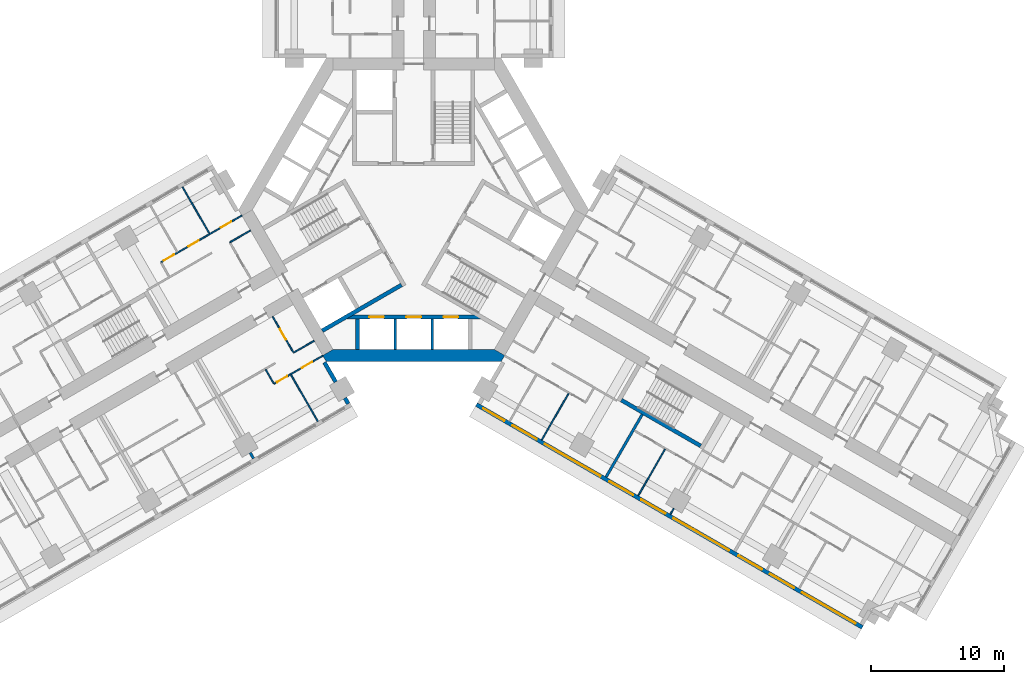
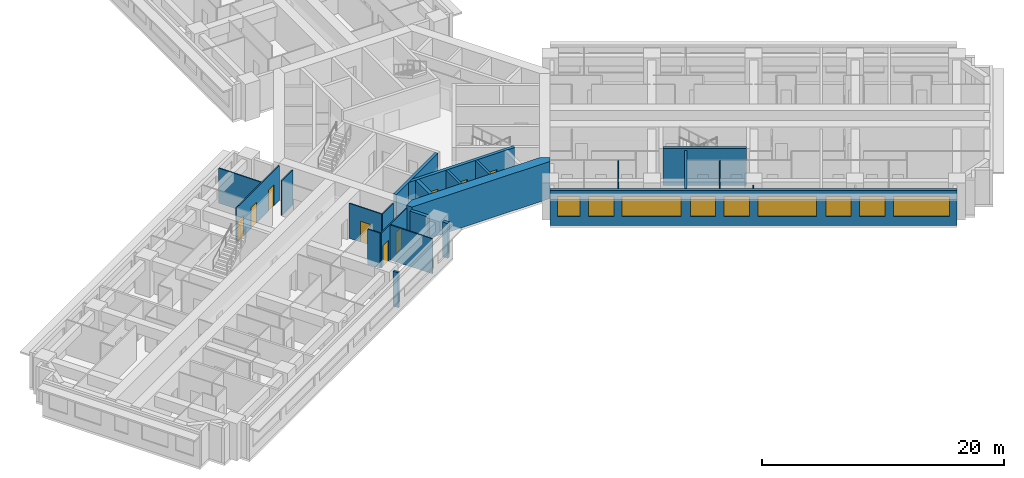
# One storey, part 6 of 16: 23 walls, 9 doors, 9 windows, 18 openings.
"""IFC4 building model written with IfcOpenShell, lengths in metres."""

from ifc_helpers import new_model, si_unit, direction, frame, frame_2d, origin, place, context, subcontext, project, spatial, polyline, rectangle, outline, extrude, material, layer, layer_set, type_object, element, fill, save


model = new_model("IFC4")

# Units and contexts
model_context = context("Model", 3, precision=1e-05, world=origin(), true_north=direction((0.0, 1.0)))
body_context = subcontext(model_context, "Body", "Model", "MODEL_VIEW")
ifc_project = project(units=[si_unit("LENGTHUNIT", "METRE"), si_unit("AREAUNIT", "SQUARE_METRE"), si_unit("VOLUMEUNIT", "CUBIC_METRE"), si_unit("PLANEANGLEUNIT", "RADIAN"), si_unit("MASSUNIT", "GRAM", prefix="KILO")], contexts=[model_context])

# Site, building, storey
site_placement = place(None, origin())
site = spatial("IfcSite", under=ifc_project, at=site_placement, CompositionType="ELEMENT")
building_placement = place(site_placement, origin())
building = spatial("IfcBuilding", under=site, at=building_placement, Name="Impinga Residences", CompositionType="ELEMENT")
storey_placement = place(building_placement, frame((0.0, 0.0, 74.75)))
storey = spatial("IfcBuildingStorey", under=building, at=storey_placement, Name="L18", CompositionType="ELEMENT", Elevation=74.75)

# Wall, openings, windows
ifc_material_1 = material(Name="Terracotta rainscreen on blockwork", Category="masonry")
ifc_layer_1 = layer(ifc_material_1, 0.300048828125)
ifc_layer_set_1 = layer_set([ifc_layer_1], Name="EW1 external wall, terracotta rainscreen on blockwork 300")
wall_type_1 = type_object("IfcWallType", Name="EW1 external wall, terracotta rainscreen on blockwork 300", PredefinedType="SOLIDWALL", material=ifc_layer_set_1)
wall_1_placement = place(storey_placement, frame((33.823486328125, -31.479248046875, 0.0), z_axis=(0.0, 0.0, 1.0), x_axis=(-0.866024291668, 0.500001926238, 0.0)))
wall_1 = element("IfcWall", 1, at=wall_1_placement, inside=storey, type_object=wall_type_1, Name="External wall EW1 L18", PredefinedType="SOLIDWALL", context=body_context, shape_type="SweptSolid", body=[
    extrude(rectangle(XDim=33.599853515625, YDim=0.300048828125, at=frame_2d((16.7998046875, 0.0))), origin(), (0.0, 0.0, 1.0), 3.530029296875),
])
opening_1_placement = place(wall_1_placement, frame((0.60009765625, 0.0, 0.89990234375)))
opening_1 = element("IfcOpeningElement", 2, at=opening_1_placement, cuts=wall_1, Name="Opening W10", PredefinedType="OPENING", context=body_context, shape_type="SweptSolid", body=[
    extrude(rectangle(XDim=4.64990234375, YDim=2.050048828125, at=frame_2d((2.324951171875, 1.02490234375))), frame((0.0, 0.159912109375, 0.0), z_axis=(0.0, -1.0, 0.0), x_axis=(1.0, 0.0, 0.0)), (0.0, 0.0, 1.0), 0.320068359375),
])
opening_2_placement = place(wall_1_placement, frame((5.949951171875, 0.0, 0.89990234375)))
opening_2 = element("IfcOpeningElement", 3, at=opening_2_placement, cuts=wall_1, Name="Opening W9", PredefinedType="OPENING", context=body_context, shape_type="SweptSolid", body=[
    extrude(rectangle(XDim=2.10009765625, YDim=2.050048828125, at=frame_2d((1.050048828125, 1.02490234375))), frame((0.0, 0.159912109375, 0.0), z_axis=(0.0, -1.0, 0.0), x_axis=(1.0, 0.0, 0.0)), (0.0, 0.0, 1.0), 0.320068359375),
])
opening_3_placement = place(wall_1_placement, frame((8.75, 0.0, 0.89990234375)))
opening_3 = element("IfcOpeningElement", 4, at=opening_3_placement, cuts=wall_1, Name="Opening W14", PredefinedType="OPENING", context=body_context, shape_type="SweptSolid", body=[
    extrude(rectangle(XDim=2.050048828125, YDim=2.050048828125, at=frame_2d((1.02490234375, 1.02490234375))), frame((0.0, 0.159912109375, 0.0), z_axis=(0.0, -1.0, 0.0), x_axis=(1.0, 0.0, 0.0)), (0.0, 0.0, 1.0), 0.320068359375),
])
opening_4_placement = place(wall_1_placement, frame((11.60009765625, 0.0, 0.89990234375)))
opening_4 = element("IfcOpeningElement", 5, at=opening_4_placement, cuts=wall_1, Name="Opening W6", PredefinedType="OPENING", context=body_context, shape_type="SweptSolid", body=[
    extrude(rectangle(XDim=4.85009765625, YDim=2.050048828125, at=frame_2d((2.425048828125, 1.02490234375))), frame((0.0, 0.159912109375, 0.0), z_axis=(0.0, -1.0, 0.0), x_axis=(1.0, 0.0, 0.0)), (0.0, 0.0, 1.0), 0.320068359375),
])
opening_5_placement = place(wall_1_placement, frame((17.14990234375, 0.0, 0.89990234375)))
opening_5 = element("IfcOpeningElement", 6, at=opening_5_placement, cuts=wall_1, Name="Opening W9", PredefinedType="OPENING", context=body_context, shape_type="SweptSolid", body=[
    extrude(rectangle(XDim=2.10009765625, YDim=2.050048828125, at=frame_2d((1.050048828125, 1.02490234375))), frame((0.0, 0.159912109375, 0.0), z_axis=(0.0, -1.0, 0.0), x_axis=(1.0, 0.0, 0.0)), (0.0, 0.0, 1.0), 0.320068359375),
])
opening_6_placement = place(wall_1_placement, frame((19.949951171875, 0.0, 0.89990234375)))
opening_6 = element("IfcOpeningElement", 7, at=opening_6_placement, cuts=wall_1, Name="Opening W14", PredefinedType="OPENING", context=body_context, shape_type="SweptSolid", body=[
    extrude(rectangle(XDim=2.050048828125, YDim=2.050048828125, at=frame_2d((1.02490234375, 1.02490234375))), frame((0.0, 0.159912109375, 0.0), z_axis=(0.0, -1.0, 0.0), x_axis=(1.0, 0.0, 0.0)), (0.0, 0.0, 1.0), 0.320068359375),
])
opening_7_placement = place(wall_1_placement, frame((22.800048828125, 0.0, 0.89990234375)))
opening_7 = element("IfcOpeningElement", 8, at=opening_7_placement, cuts=wall_1, Name="Opening W6", PredefinedType="OPENING", context=body_context, shape_type="SweptSolid", body=[
    extrude(rectangle(XDim=4.85009765625, YDim=2.050048828125, at=frame_2d((2.425048828125, 1.02490234375))), frame((0.0, 0.159912109375, 0.0), z_axis=(0.0, -1.0, 0.0), x_axis=(1.0, 0.0, 0.0)), (0.0, 0.0, 1.0), 0.320068359375),
])
opening_8_placement = place(wall_1_placement, frame((28.35009765625, 0.0, 0.89990234375)))
opening_8 = element("IfcOpeningElement", 9, at=opening_8_placement, cuts=wall_1, Name="Opening W9", PredefinedType="OPENING", context=body_context, shape_type="SweptSolid", body=[
    extrude(rectangle(XDim=2.10009765625, YDim=2.050048828125, at=frame_2d((1.050048828125, 1.02490234375))), frame((0.0, 0.159912109375, 0.0), z_axis=(0.0, -1.0, 0.0), x_axis=(1.0, 0.0, 0.0)), (0.0, 0.0, 1.0), 0.320068359375),
])
opening_9_placement = place(wall_1_placement, frame((31.14990234375, 0.0, 0.89990234375)))
opening_9 = element("IfcOpeningElement", 10, at=opening_9_placement, cuts=wall_1, Name="Opening W15", PredefinedType="OPENING", context=body_context, shape_type="SweptSolid", body=[
    extrude(rectangle(XDim=1.85009765625, YDim=2.050048828125, at=frame_2d((0.925048828125, 1.02490234375))), frame((0.0, 0.159912109375, 0.0), z_axis=(0.0, -1.0, 0.0), x_axis=(1.0, 0.0, 0.0)), (0.0, 0.0, 1.0), 0.320068359375),
])
ifc_material_2 = material(Name="Aluminium window, clear double glazing", Category="aluminium")
window_type_1 = type_object("IfcWindowType", Name="W10 ribbon window 4650x2050", PartitioningType="SINGLE_PANEL", PredefinedType="WINDOW", material=ifc_material_2)
window_1_placement = place(opening_1_placement, origin())
window_1 = element("IfcWindow", 11, at=window_1_placement, inside=storey, type_object=window_type_1, Name="Window L18", OverallHeight=2.050048828125, OverallWidth=4.64990234375, PartitioningType="SINGLE_PANEL", PredefinedType="WINDOW", context=body_context, shape_type="SweptSolid", body=[
    extrude(rectangle(XDim=4.64990234375, YDim=2.050048828125, at=frame_2d((2.324951171875, 1.02490234375))), frame((0.0, 0.030029296875, 0.0), z_axis=(0.0, -1.0, 0.0), x_axis=(1.0, 0.0, 0.0)), (0.0, 0.0, 1.0), 0.06005859375),
])
fill(opening_1, window_1)
window_type_2 = type_object("IfcWindowType", Name="W14 ribbon window 2050x2050", PartitioningType="SINGLE_PANEL", PredefinedType="WINDOW", material=ifc_material_2)
window_2_placement = place(opening_3_placement, origin())
window_2 = element("IfcWindow", 12, at=window_2_placement, inside=storey, type_object=window_type_2, Name="Window L18", OverallHeight=2.050048828125, OverallWidth=2.050048828125, PartitioningType="SINGLE_PANEL", PredefinedType="WINDOW", context=body_context, shape_type="SweptSolid", body=[
    extrude(rectangle(XDim=2.050048828125, YDim=2.050048828125, at=frame_2d((1.02490234375, 1.02490234375))), frame((0.0, 0.030029296875, 0.0), z_axis=(0.0, -1.0, 0.0), x_axis=(1.0, 0.0, 0.0)), (0.0, 0.0, 1.0), 0.06005859375),
])
fill(opening_3, window_2)
window_3_placement = place(opening_6_placement, origin())
window_3 = element("IfcWindow", 13, at=window_3_placement, inside=storey, type_object=window_type_2, Name="Window L18", OverallHeight=2.050048828125, OverallWidth=2.050048828125, PartitioningType="SINGLE_PANEL", PredefinedType="WINDOW", context=body_context, shape_type="SweptSolid", body=[
    extrude(rectangle(XDim=2.050048828125, YDim=2.050048828125, at=frame_2d((1.02490234375, 1.02490234375))), frame((0.0, 0.030029296875, 0.0), z_axis=(0.0, -1.0, 0.0), x_axis=(1.0, 0.0, 0.0)), (0.0, 0.0, 1.0), 0.06005859375),
])
fill(opening_6, window_3)
window_type_3 = type_object("IfcWindowType", Name="W15 ribbon window 1850x2050", PartitioningType="SINGLE_PANEL", PredefinedType="WINDOW", material=ifc_material_2)
window_4_placement = place(opening_9_placement, origin())
window_4 = element("IfcWindow", 14, at=window_4_placement, inside=storey, type_object=window_type_3, Name="Window L18", OverallHeight=2.050048828125, OverallWidth=1.85009765625, PartitioningType="SINGLE_PANEL", PredefinedType="WINDOW", context=body_context, shape_type="SweptSolid", body=[
    extrude(rectangle(XDim=1.85009765625, YDim=2.050048828125, at=frame_2d((0.925048828125, 1.02490234375))), frame((0.0, 0.030029296875, 0.0), z_axis=(0.0, -1.0, 0.0), x_axis=(1.0, 0.0, 0.0)), (0.0, 0.0, 1.0), 0.06005859375),
])
fill(opening_9, window_4)
window_type_4 = type_object("IfcWindowType", Name="W6 ribbon window 4850x2050", PartitioningType="SINGLE_PANEL", PredefinedType="WINDOW", material=ifc_material_2)
window_5_placement = place(opening_4_placement, origin())
window_5 = element("IfcWindow", 15, at=window_5_placement, inside=storey, type_object=window_type_4, Name="Window L18", OverallHeight=2.050048828125, OverallWidth=4.85009765625, PartitioningType="SINGLE_PANEL", PredefinedType="WINDOW", context=body_context, shape_type="SweptSolid", body=[
    extrude(rectangle(XDim=4.85009765625, YDim=2.050048828125, at=frame_2d((2.425048828125, 1.02490234375))), frame((0.0, 0.030029296875, 0.0), z_axis=(0.0, -1.0, 0.0), x_axis=(1.0, 0.0, 0.0)), (0.0, 0.0, 1.0), 0.06005859375),
])
fill(opening_4, window_5)
window_6_placement = place(opening_7_placement, origin())
window_6 = element("IfcWindow", 16, at=window_6_placement, inside=storey, type_object=window_type_4, Name="Window L18", OverallHeight=2.050048828125, OverallWidth=4.85009765625, PartitioningType="SINGLE_PANEL", PredefinedType="WINDOW", context=body_context, shape_type="SweptSolid", body=[
    extrude(rectangle(XDim=4.85009765625, YDim=2.050048828125, at=frame_2d((2.425048828125, 1.02490234375))), frame((0.0, 0.030029296875, 0.0), z_axis=(0.0, -1.0, 0.0), x_axis=(1.0, 0.0, 0.0)), (0.0, 0.0, 1.0), 0.06005859375),
])
fill(opening_7, window_6)
window_type_5 = type_object("IfcWindowType", Name="W9 ribbon window 2100x2050", PartitioningType="SINGLE_PANEL", PredefinedType="WINDOW", material=ifc_material_2)
window_7_placement = place(opening_2_placement, origin())
window_7 = element("IfcWindow", 17, at=window_7_placement, inside=storey, type_object=window_type_5, Name="Window L18", OverallHeight=2.050048828125, OverallWidth=2.10009765625, PartitioningType="SINGLE_PANEL", PredefinedType="WINDOW", context=body_context, shape_type="SweptSolid", body=[
    extrude(rectangle(XDim=2.10009765625, YDim=2.050048828125, at=frame_2d((1.050048828125, 1.02490234375))), frame((0.0, 0.030029296875, 0.0), z_axis=(0.0, -1.0, 0.0), x_axis=(1.0, 0.0, 0.0)), (0.0, 0.0, 1.0), 0.06005859375),
])
fill(opening_2, window_7)
window_8_placement = place(opening_5_placement, origin())
window_8 = element("IfcWindow", 18, at=window_8_placement, inside=storey, type_object=window_type_5, Name="Window L18", OverallHeight=2.050048828125, OverallWidth=2.10009765625, PartitioningType="SINGLE_PANEL", PredefinedType="WINDOW", context=body_context, shape_type="SweptSolid", body=[
    extrude(rectangle(XDim=2.10009765625, YDim=2.050048828125, at=frame_2d((1.050048828125, 1.02490234375))), frame((0.0, 0.030029296875, 0.0), z_axis=(0.0, -1.0, 0.0), x_axis=(1.0, 0.0, 0.0)), (0.0, 0.0, 1.0), 0.06005859375),
])
fill(opening_5, window_8)
window_9_placement = place(opening_8_placement, origin())
window_9 = element("IfcWindow", 19, at=window_9_placement, inside=storey, type_object=window_type_5, Name="Window L18", OverallHeight=2.050048828125, OverallWidth=2.10009765625, PartitioningType="SINGLE_PANEL", PredefinedType="WINDOW", context=body_context, shape_type="SweptSolid", body=[
    extrude(rectangle(XDim=2.10009765625, YDim=2.050048828125, at=frame_2d((1.050048828125, 1.02490234375))), frame((0.0, 0.030029296875, 0.0), z_axis=(0.0, -1.0, 0.0), x_axis=(1.0, 0.0, 0.0)), (0.0, 0.0, 1.0), 0.06005859375),
])
fill(opening_8, window_9)

# Walls
wall_2_placement = place(storey_placement, frame((-6.72998046875, -11.506591796875, 0.0), z_axis=(0.0, 0.0, 1.0), x_axis=(0.500062241894, -0.865989465428, 0.0)))
element("IfcWall", 20, at=wall_2_placement, inside=storey, type_object=wall_type_1, Name="External wall EW1 L18", PredefinedType="SOLIDWALL", context=body_context, shape_type="SweptSolid", body=[
    extrude(rectangle(XDim=1.699951171875, YDim=0.300048828125, at=frame_2d((0.85009765625, 0.0))), origin(), (0.0, 0.0, 1.0), 3.530029296875),
])
wall_3_placement = place(storey_placement, frame((-5.179931640625, -14.191162109375, 0.0), z_axis=(0.0, 0.0, 1.0), x_axis=(0.499919672301, -0.866071776036, 0.0)))
element("IfcWall", 21, at=wall_3_placement, inside=storey, type_object=wall_type_1, Name="External wall EW1 L18", PredefinedType="SOLIDWALL", context=body_context, shape_type="SweptSolid", body=[
    extrude(rectangle(XDim=0.5, YDim=0.300048828125, at=frame_2d((0.25, 0.0))), origin(), (0.0, 0.0, 1.0), 3.530029296875),
])
ifc_material_3 = material(Name="Gypsum board on steel studs", Category="steel")
ifc_layer_2 = layer(ifc_material_3, 0.10009765625)
ifc_layer_set_2 = layer_set([ifc_layer_2], Name="Gypsum board on steel studs")
wall_type_2 = type_object("IfcWallType", Name="IP1 partition 100", PredefinedType="PARTITIONING", material=ifc_layer_set_2)
wall_4_placement = place(storey_placement, frame((-7.5, -9.872802734375, 0.0), z_axis=(0.0, 0.0, 1.0), x_axis=(-0.866047807691, -0.499961193289, 0.0)))
element("IfcWall", 22, at=wall_4_placement, inside=storey, type_object=wall_type_2, Name="Partition L18-WA1:DIV0", PredefinedType="PARTITIONING", context=body_context, shape_type="SweptSolid", body=[
    extrude(rectangle(XDim=1.800048828125, YDim=0.10009765625, at=frame_2d((0.89990234375, 0.0))), origin(), (0.0, 0.0, 1.0), 3.530029296875),
])

# Wall, openings, doors
wall_5_placement = place(storey_placement, frame((-6.85009765625, -10.99853515625, 0.0), z_axis=(0.0, 0.0, 1.0), x_axis=(-0.866014341725, -0.50001915956, 0.0)))
wall_5 = element("IfcWall", 23, at=wall_5_placement, inside=storey, type_object=wall_type_2, Name="Partition L18-WA1:STRIP", PredefinedType="PARTITIONING", context=body_context, shape_type="SweptSolid", body=[
    extrude(rectangle(XDim=4.249755859375, YDim=0.10009765625, at=frame_2d((2.125, 0.0))), origin(), (0.0, 0.0, 1.0), 3.530029296875),
])
opening_10_placement = place(wall_5_placement, frame((0.925048828125, 0.0, 0.0)))
opening_10 = element("IfcOpeningElement", 24, at=opening_10_placement, cuts=wall_5, Name="Opening D2", PredefinedType="OPENING", context=body_context, shape_type="SweptSolid", body=[
    extrude(rectangle(XDim=0.89990234375, YDim=2.10009765625, at=frame_2d((0.449951171875, 1.050048828125))), frame((0.0, 0.06005859375, 0.0), z_axis=(0.0, -1.0, 0.0), x_axis=(1.0, 0.0, 0.0)), (0.0, 0.0, 1.0), 0.1201171875),
])
opening_11_placement = place(wall_5_placement, frame((3.10009765625, 0.0, 0.0)))
opening_11 = element("IfcOpeningElement", 25, at=opening_11_placement, cuts=wall_5, Name="Opening D2", PredefinedType="OPENING", context=body_context, shape_type="SweptSolid", body=[
    extrude(rectangle(XDim=0.89990234375, YDim=2.10009765625, at=frame_2d((0.449951171875, 1.050048828125))), frame((0.0, 0.06005859375, 0.0), z_axis=(0.0, -1.0, 0.0), x_axis=(1.0, 0.0, 0.0)), (0.0, 0.0, 1.0), 0.1201171875),
])
ifc_material_4 = material(Name="Timber door set", Category="wood")
door_type_1 = type_object("IfcDoorType", Name="D2 internal door 900x2100", OperationType="SINGLE_SWING_LEFT", PredefinedType="DOOR", material=ifc_material_4)
door_1_placement = place(opening_10_placement, origin())
door_1 = element("IfcDoor", 26, at=door_1_placement, inside=storey, type_object=door_type_1, Name="Apartment L18-WA1 room door", OperationType="SINGLE_SWING_LEFT", OverallHeight=2.10009765625, OverallWidth=0.89990234375, PredefinedType="DOOR", context=body_context, shape_type="SweptSolid", body=[
    extrude(rectangle(XDim=0.89990234375, YDim=2.10009765625, at=frame_2d((0.449951171875, 1.050048828125))), frame((0.0, 0.02490234375, 0.0), z_axis=(0.0, -1.0, 0.0), x_axis=(1.0, 0.0, 0.0)), (0.0, 0.0, 1.0), 0.050048828125),
])
fill(opening_10, door_1)
door_2_placement = place(opening_11_placement, origin())
door_2 = element("IfcDoor", 27, at=door_2_placement, inside=storey, type_object=door_type_1, Name="Apartment L18-WA1 room door", OperationType="SINGLE_SWING_RIGHT", OverallHeight=2.10009765625, OverallWidth=0.89990234375, PredefinedType="DOOR", context=body_context, shape_type="SweptSolid", body=[
    extrude(rectangle(XDim=0.89990234375, YDim=2.10009765625, at=frame_2d((0.449951171875, 1.050048828125))), frame((0.0, 0.02490234375, 0.0), z_axis=(0.0, -1.0, 0.0), x_axis=(1.0, 0.0, 0.0)), (0.0, 0.0, 1.0), 0.050048828125),
])
fill(opening_11, door_2)

# Wall
wall_6_placement = place(storey_placement, frame((-11.155517578125, -12.041015625, 0.0), z_axis=(0.0, 0.0, 1.0), x_axis=(0.499880961361, -0.866094119867, 0.0)))
element("IfcWall", 28, at=wall_6_placement, inside=storey, type_object=wall_type_2, Name="Partition L18-WA1:SE1", PredefinedType="PARTITIONING", context=body_context, shape_type="SweptSolid", body=[
    extrude(rectangle(XDim=1.199951171875, YDim=0.10009765625, at=frame_2d((0.60009765625, 0.0))), origin(), (0.0, 0.0, 1.0), 3.530029296875),
])

# Wall, opening, door
wall_7_placement = place(storey_placement, frame((-10.6337890625, -8.044677734375, 0.0), z_axis=(0.0, 0.0, 1.0), x_axis=(0.49999285859, -0.86602952684, 0.0)))
wall_7 = element("IfcWall", 29, at=wall_7_placement, inside=storey, type_object=wall_type_2, Name="Partition L18-WA1:IB1", PredefinedType="PARTITIONING", context=body_context, shape_type="SweptSolid", body=[
    extrude(rectangle(XDim=3.10009765625, YDim=0.10009765625, at=frame_2d((1.550048828125, 0.0))), origin(), (0.0, 0.0, 1.0), 3.530029296875),
])
opening_12_placement = place(wall_7_placement, frame((1.10009765625, 0.0, 0.0)))
opening_12 = element("IfcOpeningElement", 30, at=opening_12_placement, cuts=wall_7, Name="Opening D2", PredefinedType="OPENING", context=body_context, shape_type="SweptSolid", body=[
    extrude(rectangle(XDim=0.89990234375, YDim=2.10009765625, at=frame_2d((0.449951171875, 1.050048828125))), frame((0.0, 0.06005859375, 0.0), z_axis=(0.0, -1.0, 0.0), x_axis=(1.0, 0.0, 0.0)), (0.0, 0.0, 1.0), 0.1201171875),
])
door_3_placement = place(opening_12_placement, origin())
door_3 = element("IfcDoor", 31, at=door_3_placement, inside=storey, type_object=door_type_1, Name="Apartment L18-WA1 bathroom door", OperationType="SINGLE_SWING_LEFT", OverallHeight=2.10009765625, OverallWidth=0.89990234375, PredefinedType="DOOR", context=body_context, shape_type="SweptSolid", body=[
    extrude(rectangle(XDim=0.89990234375, YDim=2.10009765625, at=frame_2d((0.449951171875, 1.050048828125))), frame((0.0, 0.02490234375, 0.0), z_axis=(0.0, -1.0, 0.0), x_axis=(1.0, 0.0, 0.0)), (0.0, 0.0, 1.0), 0.050048828125),
])
fill(opening_12, door_3)

# Walls
wall_8_placement = place(storey_placement, frame((-9.249755859375, -12.44189453125, 0.0), z_axis=(0.0, 0.0, 1.0), x_axis=(0.499990325971, -0.866030989016, 0.0)))
element("IfcWall", 32, at=wall_8_placement, inside=storey, type_object=wall_type_2, Name="Partition L18-WA1:OB1", PredefinedType="PARTITIONING", context=body_context, shape_type="SweptSolid", body=[
    extrude(rectangle(XDim=4.0498046875, YDim=0.10009765625, at=frame_2d((2.02490234375, 0.0))), origin(), (0.0, 0.0, 1.0), 3.530029296875),
])
wall_9_placement = place(storey_placement, frame((-12.300048828125, -1.558837890625, 0.0), z_axis=(0.0, 0.0, 1.0), x_axis=(-0.866047807691, -0.499961193289, 0.0)))
element("IfcWall", 33, at=wall_9_placement, inside=storey, type_object=wall_type_2, Name="Partition L18-WF1:DIV0", PredefinedType="PARTITIONING", context=body_context, shape_type="SweptSolid", body=[
    extrude(rectangle(XDim=1.800048828125, YDim=0.10009765625, at=frame_2d((0.89990234375, 0.0))), origin(), (0.0, 0.0, 1.0), 3.530029296875),
])

# Wall, openings, doors
wall_10_placement = place(storey_placement, frame((-12.949951171875, -0.43310546875, 0.0), z_axis=(0.0, 0.0, 1.0), x_axis=(-0.866031034943, -0.499990246421, 0.0)))
wall_10 = element("IfcWall", 34, at=wall_10_placement, inside=storey, type_object=wall_type_2, Name="Partition L18-WF1:STRIP", PredefinedType="PARTITIONING", context=body_context, shape_type="SweptSolid", body=[
    extrude(rectangle(XDim=7.050048828125, YDim=0.10009765625, at=frame_2d((3.52490234375, 0.0))), origin(), (0.0, 0.0, 1.0), 3.530029296875),
])
opening_13_placement = place(wall_10_placement, frame((0.925048828125, 0.0, 0.0)))
opening_13 = element("IfcOpeningElement", 35, at=opening_13_placement, cuts=wall_10, Name="Opening D2", PredefinedType="OPENING", context=body_context, shape_type="SweptSolid", body=[
    extrude(rectangle(XDim=0.89990234375, YDim=2.10009765625, at=frame_2d((0.449951171875, 1.050048828125))), frame((0.0, 0.06005859375, 0.0), z_axis=(0.0, -1.0, 0.0), x_axis=(1.0, 0.0, 0.0)), (0.0, 0.0, 1.0), 0.1201171875),
])
opening_14_placement = place(wall_10_placement, frame((3.75, 0.0, 0.0)))
opening_14 = element("IfcOpeningElement", 36, at=opening_14_placement, cuts=wall_10, Name="Opening D2", PredefinedType="OPENING", context=body_context, shape_type="SweptSolid", body=[
    extrude(rectangle(XDim=0.89990234375, YDim=2.10009765625, at=frame_2d((0.449951171875, 1.050048828125))), frame((0.0, 0.06005859375, 0.0), z_axis=(0.0, -1.0, 0.0), x_axis=(1.0, 0.0, 0.0)), (0.0, 0.0, 1.0), 0.1201171875),
])
opening_15_placement = place(wall_10_placement, frame((5.89990234375, 0.0, 0.0)))
opening_15 = element("IfcOpeningElement", 37, at=opening_15_placement, cuts=wall_10, Name="Opening D2", PredefinedType="OPENING", context=body_context, shape_type="SweptSolid", body=[
    extrude(rectangle(XDim=0.89990234375, YDim=2.10009765625, at=frame_2d((0.449951171875, 1.050048828125))), frame((0.0, 0.06005859375, 0.0), z_axis=(0.0, -1.0, 0.0), x_axis=(1.0, 0.0, 0.0)), (0.0, 0.0, 1.0), 0.1201171875),
])
door_4_placement = place(opening_13_placement, origin())
door_4 = element("IfcDoor", 38, at=door_4_placement, inside=storey, type_object=door_type_1, Name="Apartment L18-WF1 room door", OperationType="SINGLE_SWING_LEFT", OverallHeight=2.10009765625, OverallWidth=0.89990234375, PredefinedType="DOOR", context=body_context, shape_type="SweptSolid", body=[
    extrude(rectangle(XDim=0.89990234375, YDim=2.10009765625, at=frame_2d((0.449951171875, 1.050048828125))), frame((0.0, 0.02490234375, 0.0), z_axis=(0.0, -1.0, 0.0), x_axis=(1.0, 0.0, 0.0)), (0.0, 0.0, 1.0), 0.050048828125),
])
fill(opening_13, door_4)
door_5_placement = place(opening_14_placement, origin())
door_5 = element("IfcDoor", 39, at=door_5_placement, inside=storey, type_object=door_type_1, Name="Apartment L18-WF1 room door", OperationType="SINGLE_SWING_RIGHT", OverallHeight=2.10009765625, OverallWidth=0.89990234375, PredefinedType="DOOR", context=body_context, shape_type="SweptSolid", body=[
    extrude(rectangle(XDim=0.89990234375, YDim=2.10009765625, at=frame_2d((0.449951171875, 1.050048828125))), frame((0.0, 0.02490234375, 0.0), z_axis=(0.0, -1.0, 0.0), x_axis=(1.0, 0.0, 0.0)), (0.0, 0.0, 1.0), 0.050048828125),
])
fill(opening_14, door_5)
door_6_placement = place(opening_15_placement, origin())
door_6 = element("IfcDoor", 40, at=door_6_placement, inside=storey, type_object=door_type_1, Name="Apartment L18-WF1 room door", OperationType="SINGLE_SWING_RIGHT", OverallHeight=2.10009765625, OverallWidth=0.89990234375, PredefinedType="DOOR", context=body_context, shape_type="SweptSolid", body=[
    extrude(rectangle(XDim=0.89990234375, YDim=2.10009765625, at=frame_2d((0.449951171875, 1.050048828125))), frame((0.0, 0.02490234375, 0.0), z_axis=(0.0, -1.0, 0.0), x_axis=(1.0, 0.0, 0.0)), (0.0, 0.0, 1.0), 0.050048828125),
])
fill(opening_15, door_6)

# Walls
for number, where, z_axis, x_axis, name in (
    (41, (-15.39990234375, -1.789794921875, 0.0), (0.0, 0.0, 1.0), (-0.499964223975, 0.866046058097, 0.0), "Partition L18-WF1:OB1"),
    (42, (11.6748046875, -13.841796875, 0.0), (0.0, 0.0, 1.0), (-0.500035537042, -0.866004885491, 0.0), "Partition L18-EF1:OB2"),
):
    element("IfcWall", number, at=place(storey_placement, frame(where, z_axis=z_axis, x_axis=x_axis)), inside=storey, type_object=wall_type_2, Name=name, PredefinedType="PARTITIONING", context=body_context, shape_type="SweptSolid", body=[
        extrude(rectangle(XDim=4.050048828125, YDim=0.10009765625, at=frame_2d((2.02490234375, 0.0))), origin(), (0.0, 0.0, 1.0), 3.530029296875),
    ])
wall_11_placement = place(storey_placement, frame((18.949462890625, -18.041748046875, 0.0), z_axis=(0.0, 0.0, 1.0), x_axis=(-0.50000943426, -0.866019956843, 0.0)))
element("IfcWall", 43, at=wall_11_placement, inside=storey, type_object=wall_type_2, Name="Partition L18-EF2:OB1", PredefinedType="PARTITIONING", context=body_context, shape_type="SweptSolid", body=[
    extrude(rectangle(XDim=4.05029296875, YDim=0.10009765625, at=frame_2d((2.025146484375, 0.0))), origin(), (0.0, 0.0, 1.0), 3.530029296875),
])
wall_12_placement = place(storey_placement, frame((19.59912109375, -22.51611328125, 0.0), z_axis=(0.0, 0.0, 1.0), x_axis=(-0.499919672301, -0.866071776036, 0.0)))
element("IfcWall", 44, at=wall_12_placement, inside=storey, type_object=wall_type_2, Name="Partition L18-EF2:OB2b", PredefinedType="PARTITIONING", context=body_context, shape_type="SweptSolid", body=[
    extrude(rectangle(XDim=0.5, YDim=0.10009765625, at=frame_2d((0.25, 0.0))), origin(), (0.0, 0.0, 1.0), 3.530029296875),
])
ifc_material_5 = material(Name="Concrete blockwork", Category="masonry")
ifc_layer_3 = layer(ifc_material_5, 0.199951171875)
ifc_layer_set_3 = layer_set([ifc_layer_3], Name="PW1 party wall between apartments 200")
wall_type_3 = type_object("IfcWallType", Name="PW1 party wall between apartments 200", PredefinedType="SOLIDWALL", material=ifc_layer_set_3)
wall_13_placement = place(storey_placement, frame((-12.32470703125, -18.316162109375, 0.0), z_axis=(0.0, 0.0, 1.0), x_axis=(0.499919672301, -0.866071776036, 0.0)))
element("IfcWall", 45, at=wall_13_placement, inside=storey, type_object=wall_type_3, Name="Party wall between apartments L18-WA1:PARTYb", PredefinedType="SOLIDWALL", context=body_context, shape_type="SweptSolid", body=[
    extrude(rectangle(XDim=0.5, YDim=0.199951171875, at=frame_2d((0.25, 0.0))), origin(), (0.0, 0.0, 1.0), 3.530029296875),
])
wall_14_placement = place(storey_placement, frame((17.224365234375, -15.429443359375, 0.0), z_axis=(0.0, 0.0, 1.0), x_axis=(-0.499988730927, -0.866031909889, 0.0)))
element("IfcWall", 46, at=wall_14_placement, inside=storey, type_object=wall_type_3, Name="Party wall between apartments L18-EF1:PARTY", PredefinedType="SOLIDWALL", context=body_context, shape_type="SweptSolid", body=[
    extrude(rectangle(XDim=5.449951171875, YDim=0.199951171875, at=frame_2d((2.72509765625, 0.0))), origin(), (0.0, 0.0, 1.0), 3.530029296875),
])
ifc_material_6 = material(Name="Concrete C60/75", Category="concrete")
ifc_layer_4 = layer(ifc_material_6, 0.300048828125)
ifc_layer_set_4 = layer_set([ifc_layer_4], Name="Concrete C60/75")
wall_type_4 = type_object("IfcWallType", Name="SE1 wing stair enclosure wall 300", PredefinedType="SOLIDWALL", material=ifc_layer_set_4)
wall_15_placement = place(storey_placement, frame((15.654052734375, -14.349365234375, 0.0), z_axis=(0.0, 0.0, 1.0), x_axis=(0.866013532718, -0.500020560727, 0.0)))
element("IfcWall", 47, at=wall_15_placement, inside=storey, type_object=wall_type_4, Name="Stair enclosure wall SE1 E OUT L18", PredefinedType="SOLIDWALL", context=body_context, shape_type="SweptSolid", body=[
    extrude(rectangle(XDim=6.900146484375, YDim=0.300048828125, at=frame_2d((3.4501953125, 0.0))), origin(), (0.0, 0.0, 1.0), 3.75),
])
ifc_material_7 = material(Name="Concrete C70/85", Category="concrete")
ifc_layer_5 = layer(ifc_material_7, 0.89990234375)
ifc_layer_set_5 = layer_set([ifc_layer_5], Name="Concrete C70/85")
wall_type_5 = type_object("IfcWallType", Name="SW1 core wall 900", PredefinedType="SHEAR", material=ifc_layer_set_5)
wall_16_placement = place(storey_placement, origin())
element("IfcWall", 48, at=wall_16_placement, inside=storey, type_object=wall_type_5, Name="Core wall SW1 N:EXPOSED L18", PredefinedType="SHEAR", context=body_context, shape_type="SweptSolid", body=[
    extrude(outline(polyline([(-6.60009765625, -11.431640625), (6.60009765625, -11.431640625), (6.85986328125, -10.9814453125), (6.080322265625, -10.531494140625), (-6.080322265625, -10.531494140625), (-6.85986328125, -10.9814453125), (-6.60009765625, -11.431640625)])), origin(), (0.0, 0.0, 1.0), 3.75),
])
ifc_layer_6 = layer(ifc_material_7, 0.300048828125)
ifc_layer_set_6 = layer_set([ifc_layer_6], Name="Concrete C70/85")
wall_type_6 = type_object("IfcWallType", Name="SW5 core inner wall, stairs, shafts and lobbies 300", PredefinedType="SHEAR", material=ifc_layer_set_6)
wall_17_placement = place(storey_placement, frame((-0.918701171875, -5.668701171875, 0.0), z_axis=(0.0, 0.0, 1.0), x_axis=(-0.866011800373, -0.500023561059, 0.0)))
element("IfcWall", 49, at=wall_17_placement, inside=storey, type_object=wall_type_6, Name="Core wall SW5 W:FF-OUT L18", PredefinedType="SHEAR", context=body_context, shape_type="SweptSolid", body=[
    extrude(rectangle(XDim=6.901611328125, YDim=0.300048828125, at=frame_2d((3.45068359375, 0.0))), origin(), (0.0, 0.0, 1.0), 3.75),
])

# Wall, openings, doors
wall_18_placement = place(storey_placement, frame((5.09765625, -8.08154296875, 0.0), z_axis=(0.0, 0.0, 1.0), x_axis=(-1.0, 0.0, 0.0)))
wall_18 = element("IfcWall", 50, at=wall_18_placement, inside=storey, type_object=wall_type_6, Name="Core wall SW5 N:BANK-FRONT L18", PredefinedType="SHEAR", context=body_context, shape_type="SweptSolid", body=[
    extrude(rectangle(XDim=10.1953125, YDim=0.300048828125, at=frame_2d((5.09765625, 0.0))), origin(), (0.0, 0.0, 1.0), 3.75),
])
opening_16_placement = place(wall_18_placement, frame((1.74755859375, 0.0, 0.0)))
opening_16 = element("IfcOpeningElement", 51, at=opening_16_placement, cuts=wall_18, Name="Opening LD1", PredefinedType="OPENING", context=body_context, shape_type="SweptSolid", body=[
    extrude(rectangle(XDim=1.10009765625, YDim=2.10009765625, at=frame_2d((0.550048828125, 1.050048828125))), frame((0.0, 0.159912109375, 0.0), z_axis=(0.0, -1.0, 0.0), x_axis=(1.0, 0.0, 0.0)), (0.0, 0.0, 1.0), 0.320068359375),
])
opening_17_placement = place(wall_18_placement, frame((4.547607421875, 0.0, 0.0)))
opening_17 = element("IfcOpeningElement", 52, at=opening_17_placement, cuts=wall_18, Name="Opening LD1", PredefinedType="OPENING", context=body_context, shape_type="SweptSolid", body=[
    extrude(rectangle(XDim=1.10009765625, YDim=2.10009765625, at=frame_2d((0.550048828125, 1.050048828125))), frame((0.0, 0.159912109375, 0.0), z_axis=(0.0, -1.0, 0.0), x_axis=(1.0, 0.0, 0.0)), (0.0, 0.0, 1.0), 0.320068359375),
])
opening_18_placement = place(wall_18_placement, frame((7.34765625, 0.0, 0.0)))
opening_18 = element("IfcOpeningElement", 53, at=opening_18_placement, cuts=wall_18, Name="Opening LD1", PredefinedType="OPENING", context=body_context, shape_type="SweptSolid", body=[
    extrude(rectangle(XDim=1.10009765625, YDim=2.10009765625, at=frame_2d((0.550048828125, 1.050048828125))), frame((0.0, 0.159912109375, 0.0), z_axis=(0.0, -1.0, 0.0), x_axis=(1.0, 0.0, 0.0)), (0.0, 0.0, 1.0), 0.320068359375),
])
ifc_material_8 = material(Name="Steel lift landing door", Category="steel")
door_type_2 = type_object("IfcDoorType", Name="LD1 passenger lift landing door 1100x2100", OperationType="DOUBLE_DOOR_SLIDING", PredefinedType="DOOR", material=ifc_material_8)
door_7_placement = place(opening_16_placement, origin())
door_7 = element("IfcDoor", 54, at=door_7_placement, inside=storey, type_object=door_type_2, Name="Lift landing door P1", OperationType="DOUBLE_DOOR_SLIDING", OverallHeight=2.10009765625, OverallWidth=1.10009765625, PredefinedType="DOOR", context=body_context, shape_type="SweptSolid", body=[
    extrude(rectangle(XDim=1.10009765625, YDim=2.10009765625, at=frame_2d((0.550048828125, 1.050048828125))), frame((0.0, 0.02490234375, 0.0), z_axis=(0.0, -1.0, 0.0), x_axis=(1.0, 0.0, 0.0)), (0.0, 0.0, 1.0), 0.050048828125),
])
fill(opening_16, door_7)
door_8_placement = place(opening_17_placement, origin())
door_8 = element("IfcDoor", 55, at=door_8_placement, inside=storey, type_object=door_type_2, Name="Lift landing door P2", OperationType="DOUBLE_DOOR_SLIDING", OverallHeight=2.10009765625, OverallWidth=1.10009765625, PredefinedType="DOOR", context=body_context, shape_type="SweptSolid", body=[
    extrude(rectangle(XDim=1.10009765625, YDim=2.10009765625, at=frame_2d((0.550048828125, 1.050048828125))), frame((0.0, 0.02490234375, 0.0), z_axis=(0.0, -1.0, 0.0), x_axis=(1.0, 0.0, 0.0)), (0.0, 0.0, 1.0), 0.050048828125),
])
fill(opening_17, door_8)
door_9_placement = place(opening_18_placement, origin())
door_9 = element("IfcDoor", 56, at=door_9_placement, inside=storey, type_object=door_type_2, Name="Lift landing door P3", OperationType="DOUBLE_DOOR_SLIDING", OverallHeight=2.10009765625, OverallWidth=1.10009765625, PredefinedType="DOOR", context=body_context, shape_type="SweptSolid", body=[
    extrude(rectangle(XDim=1.10009765625, YDim=2.10009765625, at=frame_2d((0.550048828125, 1.050048828125))), frame((0.0, 0.02490234375, 0.0), z_axis=(0.0, -1.0, 0.0), x_axis=(1.0, 0.0, 0.0)), (0.0, 0.0, 1.0), 0.050048828125),
])
fill(opening_18, door_9)

# Walls
wall_19_placement = place(storey_placement, frame((-4.25, -8.2314453125, 0.0), z_axis=(0.0, 0.0, 1.0), x_axis=(0.0, -1.0, 0.0)))
element("IfcWall", 57, at=wall_19_placement, inside=storey, type_object=wall_type_6, Name="Core wall SW5 N:BANK-R L18", PredefinedType="SHEAR", context=body_context, shape_type="SweptSolid", body=[
    extrude(rectangle(XDim=2.300048828125, YDim=0.300048828125, at=frame_2d((1.14990234375, 0.0))), origin(), (0.0, 0.0, 1.0), 3.75),
])
ifc_layer_7 = layer(ifc_material_7, 0.199951171875)
ifc_layer_set_7 = layer_set([ifc_layer_7], Name="Concrete C70/85")
wall_type_7 = type_object("IfcWallType", Name="SW6 lift shaft divider wall 200", PredefinedType="SHEAR", material=ifc_layer_set_7)
for number, where, z_axis, x_axis, name in (
    (58, (1.39990234375, -8.2314453125, 0.0), (0.0, 0.0, 1.0), (0.0, -1.0, 0.0), "Core wall SW6 N:BANK-D1 L18"),
    (59, (-1.39990234375, -8.2314453125, 0.0), (0.0, 0.0, 1.0), (0.0, -1.0, 0.0), "Core wall SW6 N:BANK-D2 L18"),
):
    element("IfcWall", number, at=place(storey_placement, frame(where, z_axis=z_axis, x_axis=x_axis)), inside=storey, type_object=wall_type_7, Name=name, PredefinedType="SHEAR", context=body_context, shape_type="SweptSolid", body=[
        extrude(rectangle(XDim=2.300048828125, YDim=0.199951171875, at=frame_2d((1.14990234375, 0.0))), origin(), (0.0, 0.0, 1.0), 3.75),
    ])

save(model, "model.ifc")
